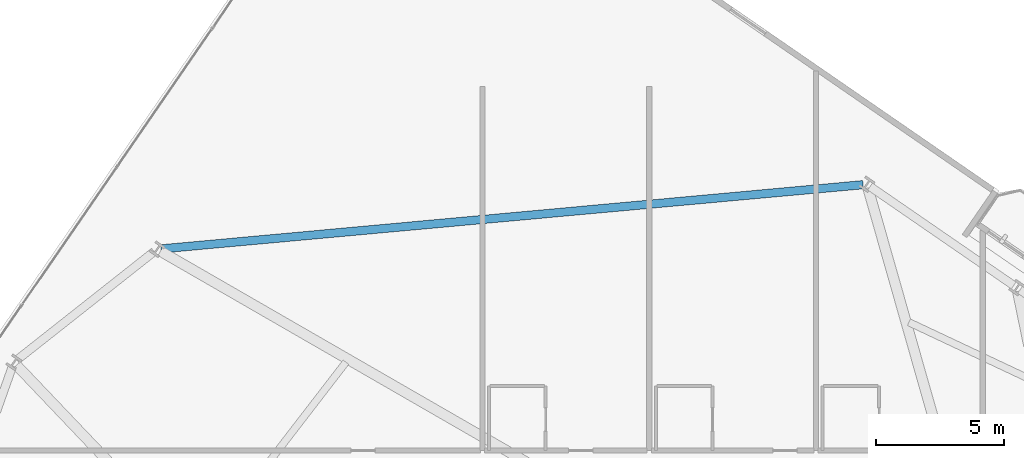
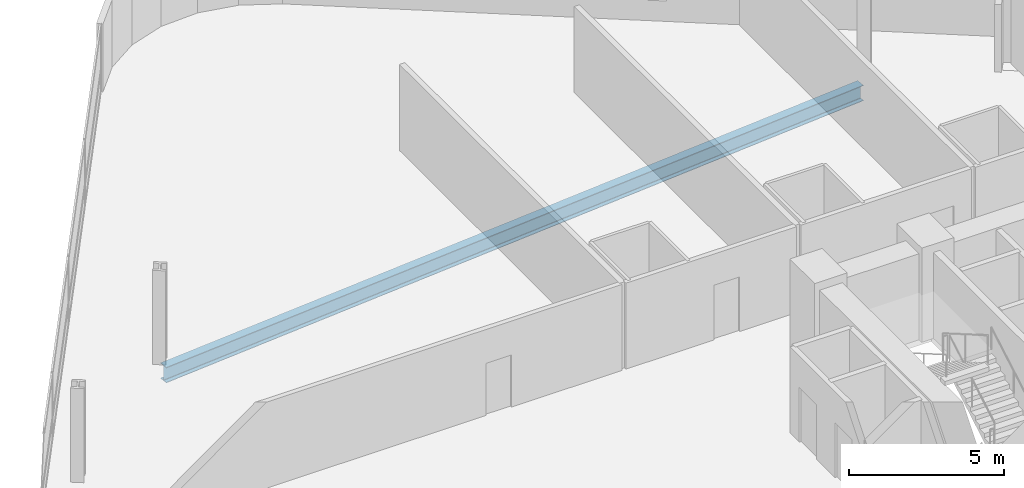
# One storey, part 14 of 24: 1 beam.
"""IFC4 building model written with IfcOpenShell, lengths in metres."""

from ifc_helpers import new_model, si_unit, direction, frame, origin, origin_2d, place, context, subcontext, project, spatial, i_section, extrude, material, material_profile, profile_set, type_object, element, save


model = new_model("IFC4")

# Units and contexts
model_context = context("Model", 3, precision=1e-05, world=origin(), true_north=direction((0.0, 1.0)))
body_context = subcontext(model_context, "Body", "Model", "MODEL_VIEW")
ifc_project = project(units=[si_unit("LENGTHUNIT", "METRE"), si_unit("AREAUNIT", "SQUARE_METRE"), si_unit("VOLUMEUNIT", "CUBIC_METRE"), si_unit("PLANEANGLEUNIT", "RADIAN"), si_unit("MASSUNIT", "GRAM", prefix="KILO")], contexts=[model_context])

# Site, building, storey
site_placement = place(None, origin())
site = spatial("IfcSite", under=ifc_project, at=site_placement, CompositionType="ELEMENT")
building_placement = place(site_placement, origin())
building = spatial("IfcBuilding", under=site, at=building_placement, Name="Varnelok Gate Tower", CompositionType="ELEMENT")
storey_placement = place(building_placement, frame((0.0, 0.0, 67.699951171875)))
storey = spatial("IfcBuildingStorey", under=building, at=storey_placement, Name="L16", CompositionType="ELEMENT", Elevation=67.699951171875)

# Beam
ifc_material = material(Name="Structural Steel ASTM A992 Grade 50", Category="steel")
ifc_material_profile = material_profile(ifc_material, i_section(OverallWidth=0.323974609375, OverallDepth=0.611083984375, WebThickness=0.0126953125, FlangeThickness=0.01904296875, FilletRadius=0.01806640625, at=origin_2d()), Name="W24X104")
ifc_profile_set = profile_set([ifc_material_profile], Name="Structural Steel ASTM A992 Grade 50")
beam_type = type_object("IfcBeamType", Name="BM-SPN-W24X104", PredefinedType="SPANDREL", material=ifc_profile_set)
beam_placement = place(storey_placement, frame((39.8359375, 52.163818359375, -0.555419921875), z_axis=(-0.995845891963, -0.091054705864, 0.0), x_axis=(0.091054705864, -0.995845891963, 0.0)))
element("IfcBeam", 1, at=beam_placement, inside=storey, type_object=beam_type, Name="L16 Perimeter Spandrel Beam 13", PredefinedType="SPANDREL", context=body_context, shape_type="SweptSolid", body=[
    extrude(i_section(OverallWidth=0.323974609375, OverallDepth=0.611083984375, WebThickness=0.0126953125, FlangeThickness=0.01904296875, FilletRadius=0.01806640625, at=origin_2d()), origin(), (0.0, 0.0, 1.0), 27.485595703125),
])

save(model, "model.ifc")
